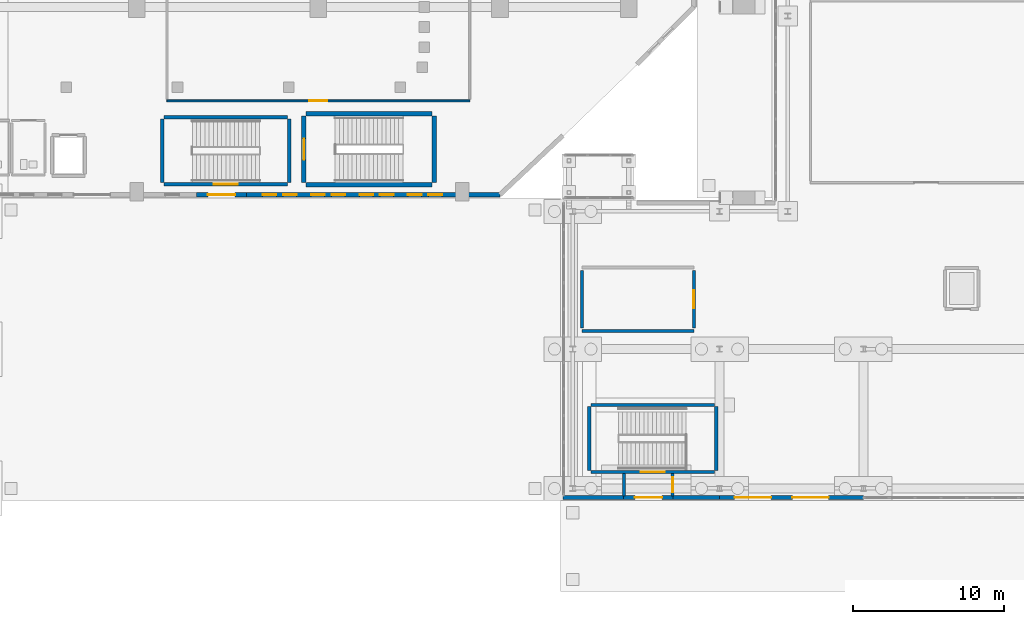
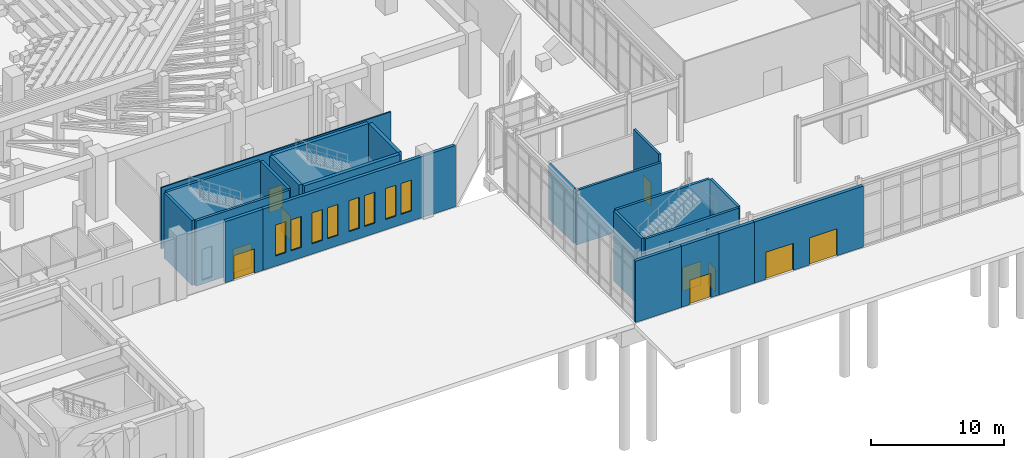
# One storey, part 108 of 143: 24 walls, 10 doors, 8 windows, 18 openings.
"""IFC4 building model written with IfcOpenShell, lengths in metres."""

from ifc_helpers import new_model, si_unit, derived_unit, direction, frame, frame_2d, origin, place, context, subcontext, project, spatial, rectangle, extrude, material, layer, layer_set, type_object, element, fill, save


model = new_model("IFC4")

# Units and contexts
model_context = context("Model", 3, precision=1e-05, world=origin(), true_north=direction((0.0, 1.0)))
body_context = subcontext(model_context, "Body", "Model", "MODEL_VIEW")
ifc_project = project(units=[si_unit("LENGTHUNIT", "METRE"), si_unit("AREAUNIT", "SQUARE_METRE"), si_unit("VOLUMEUNIT", "CUBIC_METRE"), si_unit("PLANEANGLEUNIT", "RADIAN"), si_unit("MASSUNIT", "GRAM", prefix="KILO"), derived_unit("THERMALTRANSMITTANCEUNIT", [(si_unit("MASSUNIT", "GRAM", prefix="KILO"), 1), (si_unit("TIMEUNIT", "SECOND"), -3), (si_unit("THERMODYNAMICTEMPERATUREUNIT", "KELVIN"), -1)])], contexts=[model_context])

# Site, building, storey
site_placement = place(None, origin())
site = spatial("IfcSite", under=ifc_project, at=site_placement, CompositionType="ELEMENT")
building_placement = place(site_placement, origin())
building = spatial("IfcBuilding", under=site, at=building_placement, Name="Valcora Ridge Arena", CompositionType="ELEMENT")
storey_placement = place(building_placement, origin())
storey = spatial("IfcBuildingStorey", under=building, at=storey_placement, Name="L00", CompositionType="ELEMENT", Elevation=0.0)

# Walls
ifc_material_1 = material(Name="Bush-hammered Andean travertine on concrete backup C40/50", Category="masonry")
ifc_layer_1 = layer(ifc_material_1, 0.280029296875, Name="Bush-hammered Andean travertine on concrete backup C40/50")
ifc_layer_set_1 = layer_set([ifc_layer_1], Name="Bush-hammered Andean travertine on concrete backup C40/50")
wall_type_1 = type_object("IfcWallType", Name="TY-WALL-EW-TRV-28-56", PredefinedType="STANDARD", material=ifc_layer_set_1)
wall_1_placement = place(storey_placement, frame((98.14990234375, 0.199951171875, 0.0), z_axis=(0.0, 0.0, 1.0), x_axis=(1.0, 0.0, 0.0)))
element("IfcWall", 1, at=wall_1_placement, inside=storey, type_object=wall_type_1, Name="EW-TRV-28-56 WAL-EW-0001", PredefinedType="STANDARD", context=body_context, shape_type="SweptSolid", body=[
    extrude(rectangle(XDim=4.030029296875, YDim=0.280029296875, at=frame_2d((2.01513671875, 0.0))), origin(), (0.0, 0.0, 1.0), 5.639892578125),
])
wall_2_placement = place(storey_placement, frame((105.419921875, 0.199951171875, 0.0), z_axis=(0.0, 0.0, 1.0), x_axis=(1.0, 0.0, 0.0)))
element("IfcWall", 2, at=wall_2_placement, inside=storey, type_object=wall_type_1, Name="EW-TRV-28-56 WAL-EW-0002", PredefinedType="STANDARD", context=body_context, shape_type="SweptSolid", body=[
    extrude(rectangle(XDim=3.080078125, YDim=0.280029296875, at=frame_2d((1.5400390625, 0.0))), origin(), (0.0, 0.0, 1.0), 5.639892578125),
])

# Wall, openings, doors
wall_3_placement = place(storey_placement, frame((108.5, 0.199951171875, 0.0), z_axis=(0.0, 0.0, 1.0), x_axis=(1.0, 0.0, 0.0)))
wall_3 = element("IfcWall", 3, at=wall_3_placement, inside=storey, type_object=wall_type_1, Name="EW-TRV-28-56 WAL-EW-0003", PredefinedType="STANDARD", context=body_context, shape_type="SweptSolid", body=[
    extrude(rectangle(XDim=9.5, YDim=0.280029296875, at=frame_2d((4.75, 0.0))), origin(), (0.0, 0.0, 1.0), 5.639892578125),
])
opening_1_placement = place(wall_3_placement, frame((1.0, 0.0, 0.0)))
opening_1 = element("IfcOpeningElement", 4, at=opening_1_placement, cuts=wall_3, Name="Opening E-MAIN-2400", PredefinedType="OPENING", context=body_context, shape_type="SweptSolid", body=[
    extrude(rectangle(XDim=2.39990234375, YDim=2.5, at=frame_2d((1.199951171875, 1.25))), frame((0.0, 0.14990234375, 0.0), z_axis=(0.0, -1.0, 0.0), x_axis=(1.0, 0.0, 0.0)), (0.0, 0.0, 1.0), 0.300048828125),
])
opening_2_placement = place(wall_3_placement, frame((4.800048828125, 0.0, 0.0)))
opening_2 = element("IfcOpeningElement", 5, at=opening_2_placement, cuts=wall_3, Name="Opening E-MAIN-2400", PredefinedType="OPENING", context=body_context, shape_type="SweptSolid", body=[
    extrude(rectangle(XDim=2.39990234375, YDim=2.5, at=frame_2d((1.199951171875, 1.25))), frame((0.0, 0.14990234375, 0.0), z_axis=(0.0, -1.0, 0.0), x_axis=(1.0, 0.0, 0.0)), (0.0, 0.0, 1.0), 0.300048828125),
])
ifc_material_2 = material(Name="Thermally broken bronze aluminium glazed entrance leaf", Category="aluminium")
door_type_1 = type_object("IfcDoorType", Name="TY-DOOR-E-MAIN-2400", OperationType="NOTDEFINED", PredefinedType="DOOR", material=ifc_material_2)
door_1_placement = place(opening_1_placement, origin())
door_1 = element("IfcDoor", 6, at=door_1_placement, inside=storey, type_object=door_type_1, Name="E-MAIN-2400 DOR-EX-0001", OperationType="DOUBLE_DOOR_SINGLE_SWING", OverallHeight=2.5, OverallWidth=2.39990234375, PredefinedType="DOOR", context=body_context, shape_type="SweptSolid", body=[
    extrude(rectangle(XDim=2.39990234375, YDim=2.5, at=frame_2d((1.199951171875, 1.25))), frame((0.0, 0.02490234375, 0.0), z_axis=(0.0, -1.0, 0.0), x_axis=(1.0, 0.0, 0.0)), (0.0, 0.0, 1.0), 0.050048828125),
])
fill(opening_1, door_1)
door_2_placement = place(opening_2_placement, origin())
door_2 = element("IfcDoor", 7, at=door_2_placement, inside=storey, type_object=door_type_1, Name="E-MAIN-2400 DOR-EX-0002", OperationType="DOUBLE_DOOR_SINGLE_SWING", OverallHeight=2.5, OverallWidth=2.39990234375, PredefinedType="DOOR", context=body_context, shape_type="SweptSolid", body=[
    extrude(rectangle(XDim=2.39990234375, YDim=2.5, at=frame_2d((1.199951171875, 1.25))), frame((0.0, 0.02490234375, 0.0), z_axis=(0.0, -1.0, 0.0), x_axis=(1.0, 0.0, 0.0)), (0.0, 0.0, 1.0), 0.050048828125),
])
fill(opening_2, door_2)

# Wall, openings, windows
wall_4_placement = place(storey_placement, frame((77.219970703125, 20.199951171875, 0.0), z_axis=(0.0, 0.0, 1.0), x_axis=(1.0, 0.0, 0.0)))
wall_4 = element("IfcWall", 8, at=wall_4_placement, inside=storey, type_object=wall_type_1, Name="EW-TRV-28-56 WAL-EW-0031", PredefinedType="STANDARD", context=body_context, shape_type="SweptSolid", body=[
    extrude(rectangle(XDim=16.780029296875, YDim=0.280029296875, at=frame_2d((8.39013671875, 0.0))), origin(), (0.0, 0.0, 1.0), 5.639892578125),
])
opening_3_placement = place(wall_4_placement, frame((1.10009765625, 0.0, 0.949951171875)))
opening_3 = element("IfcOpeningElement", 9, at=opening_3_placement, cuts=wall_4, Name="Opening W-GLAN-90X285", PredefinedType="OPENING", context=body_context, shape_type="SweptSolid", body=[
    extrude(rectangle(XDim=0.89990234375, YDim=2.85009765625, at=frame_2d((0.449951171875, 1.425048828125))), frame((0.0, 0.14990234375, 0.0), z_axis=(0.0, -1.0, 0.0), x_axis=(1.0, 0.0, 0.0)), (0.0, 0.0, 1.0), 0.300048828125),
])
opening_4_placement = place(wall_4_placement, frame((2.449951171875, 0.0, 0.949951171875)))
opening_4 = element("IfcOpeningElement", 10, at=opening_4_placement, cuts=wall_4, Name="Opening W-GLAN-90X285", PredefinedType="OPENING", context=body_context, shape_type="SweptSolid", body=[
    extrude(rectangle(XDim=0.89990234375, YDim=2.85009765625, at=frame_2d((0.449951171875, 1.425048828125))), frame((0.0, 0.14990234375, 0.0), z_axis=(0.0, -1.0, 0.0), x_axis=(1.0, 0.0, 0.0)), (0.0, 0.0, 1.0), 0.300048828125),
])
opening_5_placement = place(wall_4_placement, frame((4.300048828125, 0.0, 0.949951171875)))
opening_5 = element("IfcOpeningElement", 11, at=opening_5_placement, cuts=wall_4, Name="Opening W-GLAN-90X285", PredefinedType="OPENING", context=body_context, shape_type="SweptSolid", body=[
    extrude(rectangle(XDim=0.89990234375, YDim=2.85009765625, at=frame_2d((0.449951171875, 1.425048828125))), frame((0.0, 0.14990234375, 0.0), z_axis=(0.0, -1.0, 0.0), x_axis=(1.0, 0.0, 0.0)), (0.0, 0.0, 1.0), 0.300048828125),
])
opening_6_placement = place(wall_4_placement, frame((5.64990234375, 0.0, 0.949951171875)))
opening_6 = element("IfcOpeningElement", 12, at=opening_6_placement, cuts=wall_4, Name="Opening W-GLAN-90X285", PredefinedType="OPENING", context=body_context, shape_type="SweptSolid", body=[
    extrude(rectangle(XDim=0.89990234375, YDim=2.85009765625, at=frame_2d((0.449951171875, 1.425048828125))), frame((0.0, 0.14990234375, 0.0), z_axis=(0.0, -1.0, 0.0), x_axis=(1.0, 0.0, 0.0)), (0.0, 0.0, 1.0), 0.300048828125),
])
opening_7_placement = place(wall_4_placement, frame((7.5, 0.0, 0.949951171875)))
opening_7 = element("IfcOpeningElement", 13, at=opening_7_placement, cuts=wall_4, Name="Opening W-GLAN-90X285", PredefinedType="OPENING", context=body_context, shape_type="SweptSolid", body=[
    extrude(rectangle(XDim=0.89990234375, YDim=2.85009765625, at=frame_2d((0.449951171875, 1.425048828125))), frame((0.0, 0.14990234375, 0.0), z_axis=(0.0, -1.0, 0.0), x_axis=(1.0, 0.0, 0.0)), (0.0, 0.0, 1.0), 0.300048828125),
])
opening_8_placement = place(wall_4_placement, frame((8.85009765625, 0.0, 0.949951171875)))
opening_8 = element("IfcOpeningElement", 14, at=opening_8_placement, cuts=wall_4, Name="Opening W-GLAN-90X285", PredefinedType="OPENING", context=body_context, shape_type="SweptSolid", body=[
    extrude(rectangle(XDim=0.89990234375, YDim=2.85009765625, at=frame_2d((0.449951171875, 1.425048828125))), frame((0.0, 0.14990234375, 0.0), z_axis=(0.0, -1.0, 0.0), x_axis=(1.0, 0.0, 0.0)), (0.0, 0.0, 1.0), 0.300048828125),
])
opening_9_placement = place(wall_4_placement, frame((10.699951171875, 0.0, 0.949951171875)))
opening_9 = element("IfcOpeningElement", 15, at=opening_9_placement, cuts=wall_4, Name="Opening W-GLAN-90X285", PredefinedType="OPENING", context=body_context, shape_type="SweptSolid", body=[
    extrude(rectangle(XDim=0.89990234375, YDim=2.85009765625, at=frame_2d((0.449951171875, 1.425048828125))), frame((0.0, 0.14990234375, 0.0), z_axis=(0.0, -1.0, 0.0), x_axis=(1.0, 0.0, 0.0)), (0.0, 0.0, 1.0), 0.300048828125),
])
opening_10_placement = place(wall_4_placement, frame((12.050048828125, 0.0, 0.949951171875)))
opening_10 = element("IfcOpeningElement", 16, at=opening_10_placement, cuts=wall_4, Name="Opening W-GLAN-90X285", PredefinedType="OPENING", context=body_context, shape_type="SweptSolid", body=[
    extrude(rectangle(XDim=0.89990234375, YDim=2.85009765625, at=frame_2d((0.449951171875, 1.425048828125))), frame((0.0, 0.14990234375, 0.0), z_axis=(0.0, -1.0, 0.0), x_axis=(1.0, 0.0, 0.0)), (0.0, 0.0, 1.0), 0.300048828125),
])
ifc_material_3 = material(Name="Low-iron solar-control double glazing SHGC 0.28", Category="glass")
window_type = type_object("IfcWindowType", Name="TY-WINDOW-W-GLAN-90X285", PartitioningType="DOUBLE_PANEL_VERTICAL", PredefinedType="WINDOW", material=ifc_material_3)
window_1_placement = place(opening_3_placement, origin())
window_1 = element("IfcWindow", 17, at=window_1_placement, inside=storey, type_object=window_type, Name="W-GLAN-90X285 WIN-EX-0060", OverallHeight=2.85009765625, OverallWidth=0.89990234375, PartitioningType="DOUBLE_PANEL_VERTICAL", PredefinedType="WINDOW", context=body_context, shape_type="SweptSolid", body=[
    extrude(rectangle(XDim=0.89990234375, YDim=2.85009765625, at=frame_2d((0.449951171875, 1.425048828125))), frame((0.0, 0.030029296875, 0.0), z_axis=(0.0, -1.0, 0.0), x_axis=(1.0, 0.0, 0.0)), (0.0, 0.0, 1.0), 0.06005859375),
])
fill(opening_3, window_1)
window_2_placement = place(opening_4_placement, origin())
window_2 = element("IfcWindow", 18, at=window_2_placement, inside=storey, type_object=window_type, Name="W-GLAN-90X285 WIN-EX-0061", OverallHeight=2.85009765625, OverallWidth=0.89990234375, PartitioningType="DOUBLE_PANEL_VERTICAL", PredefinedType="WINDOW", context=body_context, shape_type="SweptSolid", body=[
    extrude(rectangle(XDim=0.89990234375, YDim=2.85009765625, at=frame_2d((0.449951171875, 1.425048828125))), frame((0.0, 0.030029296875, 0.0), z_axis=(0.0, -1.0, 0.0), x_axis=(1.0, 0.0, 0.0)), (0.0, 0.0, 1.0), 0.06005859375),
])
fill(opening_4, window_2)
window_3_placement = place(opening_5_placement, origin())
window_3 = element("IfcWindow", 19, at=window_3_placement, inside=storey, type_object=window_type, Name="W-GLAN-90X285 WIN-EX-0062", OverallHeight=2.85009765625, OverallWidth=0.89990234375, PartitioningType="DOUBLE_PANEL_VERTICAL", PredefinedType="WINDOW", context=body_context, shape_type="SweptSolid", body=[
    extrude(rectangle(XDim=0.89990234375, YDim=2.85009765625, at=frame_2d((0.449951171875, 1.425048828125))), frame((0.0, 0.030029296875, 0.0), z_axis=(0.0, -1.0, 0.0), x_axis=(1.0, 0.0, 0.0)), (0.0, 0.0, 1.0), 0.06005859375),
])
fill(opening_5, window_3)
window_4_placement = place(opening_6_placement, origin())
window_4 = element("IfcWindow", 20, at=window_4_placement, inside=storey, type_object=window_type, Name="W-GLAN-90X285 WIN-EX-0063", OverallHeight=2.85009765625, OverallWidth=0.89990234375, PartitioningType="DOUBLE_PANEL_VERTICAL", PredefinedType="WINDOW", context=body_context, shape_type="SweptSolid", body=[
    extrude(rectangle(XDim=0.89990234375, YDim=2.85009765625, at=frame_2d((0.449951171875, 1.425048828125))), frame((0.0, 0.030029296875, 0.0), z_axis=(0.0, -1.0, 0.0), x_axis=(1.0, 0.0, 0.0)), (0.0, 0.0, 1.0), 0.06005859375),
])
fill(opening_6, window_4)
window_5_placement = place(opening_7_placement, origin())
window_5 = element("IfcWindow", 21, at=window_5_placement, inside=storey, type_object=window_type, Name="W-GLAN-90X285 WIN-EX-0064", OverallHeight=2.85009765625, OverallWidth=0.89990234375, PartitioningType="DOUBLE_PANEL_VERTICAL", PredefinedType="WINDOW", context=body_context, shape_type="SweptSolid", body=[
    extrude(rectangle(XDim=0.89990234375, YDim=2.85009765625, at=frame_2d((0.449951171875, 1.425048828125))), frame((0.0, 0.030029296875, 0.0), z_axis=(0.0, -1.0, 0.0), x_axis=(1.0, 0.0, 0.0)), (0.0, 0.0, 1.0), 0.06005859375),
])
fill(opening_7, window_5)
window_6_placement = place(opening_8_placement, origin())
window_6 = element("IfcWindow", 22, at=window_6_placement, inside=storey, type_object=window_type, Name="W-GLAN-90X285 WIN-EX-0065", OverallHeight=2.85009765625, OverallWidth=0.89990234375, PartitioningType="DOUBLE_PANEL_VERTICAL", PredefinedType="WINDOW", context=body_context, shape_type="SweptSolid", body=[
    extrude(rectangle(XDim=0.89990234375, YDim=2.85009765625, at=frame_2d((0.449951171875, 1.425048828125))), frame((0.0, 0.030029296875, 0.0), z_axis=(0.0, -1.0, 0.0), x_axis=(1.0, 0.0, 0.0)), (0.0, 0.0, 1.0), 0.06005859375),
])
fill(opening_8, window_6)
window_7_placement = place(opening_9_placement, origin())
window_7 = element("IfcWindow", 23, at=window_7_placement, inside=storey, type_object=window_type, Name="W-GLAN-90X285 WIN-EX-0066", OverallHeight=2.85009765625, OverallWidth=0.89990234375, PartitioningType="DOUBLE_PANEL_VERTICAL", PredefinedType="WINDOW", context=body_context, shape_type="SweptSolid", body=[
    extrude(rectangle(XDim=0.89990234375, YDim=2.85009765625, at=frame_2d((0.449951171875, 1.425048828125))), frame((0.0, 0.030029296875, 0.0), z_axis=(0.0, -1.0, 0.0), x_axis=(1.0, 0.0, 0.0)), (0.0, 0.0, 1.0), 0.06005859375),
])
fill(opening_9, window_7)
window_8_placement = place(opening_10_placement, origin())
window_8 = element("IfcWindow", 24, at=window_8_placement, inside=storey, type_object=window_type, Name="W-GLAN-90X285 WIN-EX-0067", OverallHeight=2.85009765625, OverallWidth=0.89990234375, PartitioningType="DOUBLE_PANEL_VERTICAL", PredefinedType="WINDOW", context=body_context, shape_type="SweptSolid", body=[
    extrude(rectangle(XDim=0.89990234375, YDim=2.85009765625, at=frame_2d((0.449951171875, 1.425048828125))), frame((0.0, 0.030029296875, 0.0), z_axis=(0.0, -1.0, 0.0), x_axis=(1.0, 0.0, 0.0)), (0.0, 0.0, 1.0), 0.06005859375),
])
fill(opening_10, window_8)

# Wall, opening, door
ifc_layer_2 = layer(ifc_material_1, 0.280029296875, Name="Bush-hammered Andean travertine on concrete backup C40/50")
ifc_layer_set_2 = layer_set([ifc_layer_2], Name="Bush-hammered Andean travertine on concrete backup C40/50")
wall_type_2 = type_object("IfcWallType", Name="TY-WALL-EW-TRV-XP-56", PredefinedType="STANDARD", material=ifc_layer_set_2)
wall_5_placement = place(storey_placement, frame((105.449951171875, 0.199951171875, 0.0), z_axis=(0.0, 0.0, 1.0), x_axis=(-1.0, 0.0, 0.0)))
wall_5 = element("IfcWall", 25, at=wall_5_placement, inside=storey, type_object=wall_type_2, Name="EW-TRV-XP-56 WAL-XP-0019", PredefinedType="STANDARD", context=body_context, shape_type="SweptSolid", body=[
    extrude(rectangle(XDim=3.300048828125, YDim=0.280029296875, at=frame_2d((1.64990234375, 0.0))), origin(), (0.0, 0.0, 1.0), 5.639892578125),
])
opening_11_placement = place(wall_5_placement, frame((0.75, 0.0, 0.0)))
opening_11 = element("IfcOpeningElement", 26, at=opening_11_placement, cuts=wall_5, Name="Opening D-EXP-1800", PredefinedType="OPENING", context=body_context, shape_type="SweptSolid", body=[
    extrude(rectangle(XDim=1.800048828125, YDim=2.25, at=frame_2d((0.89990234375, 1.125))), frame((0.0, 0.14990234375, 0.0), z_axis=(0.0, -1.0, 0.0), x_axis=(1.0, 0.0, 0.0)), (0.0, 0.0, 1.0), 0.300048828125),
])
ifc_material_4 = material(Name="Insulated fire-rated steel door leaf", Category="steel")
door_type_2 = type_object("IfcDoorType", Name="TY-DOOR-D-EXP-1800", OperationType="NOTDEFINED", PredefinedType="DOOR", material=ifc_material_4)
door_3_placement = place(opening_11_placement, origin())
door_3 = element("IfcDoor", 27, at=door_3_placement, inside=storey, type_object=door_type_2, Name="Final Exit Discharge Door ES11", OperationType="DOUBLE_DOOR_SINGLE_SWING", OverallHeight=2.25, OverallWidth=1.800048828125, PredefinedType="DOOR", context=body_context, shape_type="SweptSolid", body=[
    extrude(rectangle(XDim=1.800048828125, YDim=2.25, at=frame_2d((0.89990234375, 1.125))), frame((0.0, 0.02490234375, 0.0), z_axis=(0.0, -1.0, 0.0), x_axis=(1.0, 0.0, 0.0)), (0.0, 0.0, 1.0), 0.050048828125),
])
fill(opening_11, door_3)

wall_6_placement = place(storey_placement, frame((77.25, 20.199951171875, 0.0), z_axis=(0.0, 0.0, 1.0), x_axis=(-1.0, 0.0, 0.0)))
wall_6 = element("IfcWall", 28, at=wall_6_placement, inside=storey, type_object=wall_type_2, Name="EW-TRV-XP-56 WAL-XP-0022", PredefinedType="STANDARD", context=body_context, shape_type="SweptSolid", body=[
    extrude(rectangle(XDim=3.300048828125, YDim=0.280029296875, at=frame_2d((1.64990234375, 0.0))), origin(), (0.0, 0.0, 1.0), 5.639892578125),
])
opening_12_placement = place(wall_6_placement, frame((0.75, 0.0, 0.0)))
opening_12 = element("IfcOpeningElement", 29, at=opening_12_placement, cuts=wall_6, Name="Opening D-EXP-1800", PredefinedType="OPENING", context=body_context, shape_type="SweptSolid", body=[
    extrude(rectangle(XDim=1.800048828125, YDim=2.25, at=frame_2d((0.89990234375, 1.125))), frame((0.0, 0.14990234375, 0.0), z_axis=(0.0, -1.0, 0.0), x_axis=(1.0, 0.0, 0.0)), (0.0, 0.0, 1.0), 0.300048828125),
])
door_4_placement = place(opening_12_placement, origin())
door_4 = element("IfcDoor", 30, at=door_4_placement, inside=storey, type_object=door_type_2, Name="Final Exit Discharge Door ES02", OperationType="DOUBLE_DOOR_SINGLE_SWING", OverallHeight=2.25, OverallWidth=1.800048828125, PredefinedType="DOOR", context=body_context, shape_type="SweptSolid", body=[
    extrude(rectangle(XDim=1.800048828125, YDim=2.25, at=frame_2d((0.89990234375, 1.125))), frame((0.0, 0.02490234375, 0.0), z_axis=(0.0, -1.0, 0.0), x_axis=(1.0, 0.0, 0.0)), (0.0, 0.0, 1.0), 0.050048828125),
])
fill(opening_12, door_4)

# Walls
ifc_material_5 = material(Name="Fire-resisting reinforced concrete enclosure C40/50 200 mm", Category="concrete")
ifc_layer_3 = layer(ifc_material_5, 0.199951171875, Name="Fire-resisting reinforced concrete enclosure C40/50 200 mm")
ifc_layer_set_3 = layer_set([ifc_layer_3], Name="Fire-resisting reinforced concrete enclosure C40/50 200 mm")
wall_type_3 = type_object("IfcWallType", Name="TY-WALL-IW-FIRE-200", PredefinedType="STANDARD", material=ifc_layer_set_3)
wall_7_placement = place(storey_placement, frame((99.39990234375, 11.199951171875, 0.0), z_axis=(0.0, 0.0, 1.0), x_axis=(1.0, 0.0, 0.0)))
element("IfcWall", 31, at=wall_7_placement, inside=storey, type_object=wall_type_3, Name="IW-FIRE-200 WAL-IN-0043", PredefinedType="STANDARD", context=body_context, shape_type="SweptSolid", body=[
    extrude(rectangle(XDim=7.400146484375, YDim=0.199951171875, at=frame_2d((3.7001953125, 0.0))), origin(), (0.0, 0.0, 1.0), 5.028076171875),
])
wall_8_placement = place(storey_placement, frame((99.39990234375, 11.39990234375, 0.0), z_axis=(0.0, 0.0, 1.0), x_axis=(0.0, 1.0, 0.0)))
element("IfcWall", 32, at=wall_8_placement, inside=storey, type_object=wall_type_3, Name="IW-FIRE-200 WAL-IN-0045", PredefinedType="STANDARD", context=body_context, shape_type="SweptSolid", body=[
    extrude(rectangle(XDim=3.800048828125, YDim=0.199951171875, at=frame_2d((1.89990234375, 0.0))), origin(), (0.0, 0.0, 1.0), 5.028076171875),
])

# Wall, opening, door
wall_9_placement = place(storey_placement, frame((106.800048828125, 11.39990234375, 0.0), z_axis=(0.0, 0.0, 1.0), x_axis=(0.0, 1.0, 0.0)))
wall_9 = element("IfcWall", 33, at=wall_9_placement, inside=storey, type_object=wall_type_3, Name="IW-FIRE-200 WAL-IN-0046", PredefinedType="STANDARD", context=body_context, shape_type="SweptSolid", body=[
    extrude(rectangle(XDim=3.800048828125, YDim=0.199951171875, at=frame_2d((1.89990234375, 0.0))), origin(), (0.0, 0.0, 1.0), 5.639892578125),
])
opening_13_placement = place(wall_9_placement, frame((1.300048828125, 0.0, 0.0)))
opening_13 = element("IfcOpeningElement", 34, at=opening_13_placement, cuts=wall_9, Name="Opening FD-FCC-1200", PredefinedType="OPENING", context=body_context, shape_type="SweptSolid", body=[
    extrude(rectangle(XDim=1.199951171875, YDim=2.199951171875, at=frame_2d((0.60009765625, 1.10009765625))), frame((0.0, 0.10986328125, 0.0), z_axis=(0.0, -1.0, 0.0), x_axis=(1.0, 0.0, 0.0)), (0.0, 0.0, 1.0), 0.219970703125),
])
door_type_3 = type_object("IfcDoorType", Name="TY-DOOR-FD-FCC-1200", OperationType="NOTDEFINED", PredefinedType="DOOR", material=ifc_material_4)
door_5_placement = place(opening_13_placement, origin())
door_5 = element("IfcDoor", 35, at=door_5_placement, inside=storey, type_object=door_type_3, Name="FD-FCC-1200 DOR-IN-0015", OperationType="SINGLE_SWING_LEFT", OverallHeight=2.199951171875, OverallWidth=1.199951171875, PredefinedType="DOOR", context=body_context, shape_type="SweptSolid", body=[
    extrude(rectangle(XDim=1.199951171875, YDim=2.199951171875, at=frame_2d((0.60009765625, 1.10009765625))), frame((0.0, 0.02490234375, 0.0), z_axis=(0.0, -1.0, 0.0), x_axis=(1.0, 0.0, 0.0)), (0.0, 0.0, 1.0), 0.050048828125),
])
fill(opening_13, door_5)

# Wall
wall_10_placement = place(storey_placement, frame((102.199951171875, 0.300048828125, 0.0), z_axis=(0.0, 0.0, 1.0), x_axis=(0.0, 1.0, 0.0)))
element("IfcWall", 36, at=wall_10_placement, inside=storey, type_object=wall_type_3, Name="IW-FIRE-200 WAL-XP-0020", PredefinedType="STANDARD", context=body_context, shape_type="SweptSolid", body=[
    extrude(rectangle(XDim=1.489990234375, YDim=0.199951171875, at=frame_2d((0.7451171875, 0.0))), origin(), (0.0, 0.0, 1.0), 5.028076171875),
])

# Wall, opening, door
wall_11_placement = place(storey_placement, frame((105.39990234375, 0.300048828125, 0.0), z_axis=(0.0, 0.0, 1.0), x_axis=(0.0, 1.0, 0.0)))
wall_11 = element("IfcWall", 37, at=wall_11_placement, inside=storey, type_object=wall_type_3, Name="IW-FIRE-200 WAL-XP-0021", PredefinedType="STANDARD", context=body_context, shape_type="SweptSolid", body=[
    extrude(rectangle(XDim=1.489990234375, YDim=0.199951171875, at=frame_2d((0.7451171875, 0.0))), origin(), (0.0, 0.0, 1.0), 5.028076171875),
])
opening_14_placement = place(wall_11_placement, frame((0.2451171875, 0.0, 0.0)))
opening_14 = element("IfcOpeningElement", 38, at=opening_14_placement, cuts=wall_11, Name="Opening FD-STE-1000", PredefinedType="OPENING", context=body_context, shape_type="SweptSolid", body=[
    extrude(rectangle(XDim=1.0, YDim=2.14990234375, at=frame_2d((0.5, 1.074951171875))), frame((0.0, 0.10986328125, 0.0), z_axis=(0.0, -1.0, 0.0), x_axis=(1.0, 0.0, 0.0)), (0.0, 0.0, 1.0), 0.219970703125),
])
door_type_4 = type_object("IfcDoorType", Name="TY-DOOR-FD-STE-1000", OperationType="NOTDEFINED", PredefinedType="DOOR", material=ifc_material_4)
door_6_placement = place(opening_14_placement, origin())
door_6 = element("IfcDoor", 39, at=door_6_placement, inside=storey, type_object=door_type_4, Name="FD-STE-1000 DOR-XP-0013", OperationType="SINGLE_SWING_RIGHT", OverallHeight=2.14990234375, OverallWidth=1.0, PredefinedType="DOOR", context=body_context, shape_type="SweptSolid", body=[
    extrude(rectangle(XDim=1.0, YDim=2.14990234375, at=frame_2d((0.5, 1.074951171875))), frame((0.0, 0.02490234375, 0.0), z_axis=(0.0, -1.0, 0.0), x_axis=(1.0, 0.0, 0.0)), (0.0, 0.0, 1.0), 0.050048828125),
])
fill(opening_14, door_6)

ifc_material_6 = material(Name="Acoustic metal-stud gypsum partition 120 mm")
ifc_layer_4 = layer(ifc_material_6, 0.1201171875, Name="Acoustic metal-stud gypsum partition 120 mm")
ifc_layer_set_4 = layer_set([ifc_layer_4], Name="Acoustic metal-stud gypsum partition 120 mm")
wall_type_4 = type_object("IfcWallType", Name="TY-WALL-IW-PART-120", PredefinedType="PARTITIONING", material=ifc_layer_set_4)
wall_12_placement = place(storey_placement, frame((72.0, 26.39990234375, 0.0), z_axis=(0.0, 0.0, 1.0), x_axis=(1.0, 0.0, 0.0)))
wall_12 = element("IfcWall", 40, at=wall_12_placement, inside=storey, type_object=wall_type_4, Name="IW-PART-120 WAL-IN-0227", PredefinedType="PARTITIONING", context=body_context, shape_type="SweptSolid", body=[
    extrude(rectangle(XDim=20.0, YDim=0.1201171875, at=frame_2d((10.0, 0.0))), origin(), (0.0, 0.0, 1.0), 5.639892578125),
])
opening_15_placement = place(wall_12_placement, frame((9.39990234375, 0.0, 0.0)))
opening_15 = element("IfcOpeningElement", 41, at=opening_15_placement, cuts=wall_12, Name="Opening D-ATH-1200", PredefinedType="OPENING", context=body_context, shape_type="SweptSolid", body=[
    extrude(rectangle(XDim=1.199951171875, YDim=2.199951171875, at=frame_2d((0.60009765625, 1.10009765625))), frame((0.0, 0.070068359375, 0.0), z_axis=(0.0, -1.0, 0.0), x_axis=(1.0, 0.0, 0.0)), (0.0, 0.0, 1.0), 0.14013671875),
])
ifc_material_7 = material(Name="Solid-core acoustic timber veneer door leaf", Category="wood")
door_type_5 = type_object("IfcDoorType", Name="TY-DOOR-D-ATH-1200", OperationType="NOTDEFINED", PredefinedType="DOOR", material=ifc_material_7)
door_7_placement = place(opening_15_placement, origin())
door_7 = element("IfcDoor", 42, at=door_7_placement, inside=storey, type_object=door_type_5, Name="D-ATH-1200 DOR-IN-0061", OperationType="SINGLE_SWING_RIGHT", OverallHeight=2.199951171875, OverallWidth=1.199951171875, PredefinedType="DOOR", context=body_context, shape_type="SweptSolid", body=[
    extrude(rectangle(XDim=1.199951171875, YDim=2.199951171875, at=frame_2d((0.60009765625, 1.10009765625))), frame((0.0, 0.02490234375, 0.0), z_axis=(0.0, -1.0, 0.0), x_axis=(1.0, 0.0, 0.0)), (0.0, 0.0, 1.0), 0.050048828125),
])
fill(opening_15, door_7)

# Walls
ifc_material_8 = material(Name="Concrete C45/55", Category="concrete")
ifc_layer_5 = layer(ifc_material_8, 0.300048828125, Name="Concrete C45/55")
ifc_layer_set_5 = layer_set([ifc_layer_5], Name="Concrete C45/55")
wall_type_5 = type_object("IfcWallType", Name="TY-WALL-SW-C300-L", PredefinedType="SHEAR", material=ifc_layer_set_5)
for number, where, z_axis, x_axis, name in (
    (43, (81.199951171875, 20.85009765625, 0.0), (0.0, 0.0, 1.0), (1.0, 0.0, 0.0), "SW-C300-L WAL-CR-0033"),
    (44, (81.199951171875, 25.550048828125, 0.0), (0.0, 0.0, 1.0), (1.0, 0.0, 0.0), "SW-C300-L WAL-CR-0034"),
):
    element("IfcWall", number, at=place(storey_placement, frame(where, z_axis=z_axis, x_axis=x_axis)), inside=storey, type_object=wall_type_5, Name=name, PredefinedType="SHEAR", context=body_context, shape_type="SweptSolid", body=[
        extrude(rectangle(XDim=8.320068359375, YDim=0.300048828125, at=frame_2d((4.16015625, 0.0))), origin(), (0.0, 0.0, 1.0), 6.0),
    ])

# Wall, opening, door
ifc_layer_6 = layer(ifc_material_8, 0.300048828125, Name="Concrete C45/55")
ifc_layer_set_6 = layer_set([ifc_layer_6], Name="Concrete C45/55")
wall_type_6 = type_object("IfcWallType", Name="TY-WALL-SW-C300-S", PredefinedType="SHEAR", material=ifc_layer_set_6)
wall_13_placement = place(storey_placement, frame((81.050048828125, 21.0, 0.0), z_axis=(0.0, 0.0, 1.0), x_axis=(0.0, 1.0, 0.0)))
wall_13 = element("IfcWall", 45, at=wall_13_placement, inside=storey, type_object=wall_type_6, Name="SW-C300-S WAL-CR-0035", PredefinedType="SHEAR", context=body_context, shape_type="SweptSolid", body=[
    extrude(rectangle(XDim=4.39990234375, YDim=0.300048828125, at=frame_2d((2.199951171875, 0.0))), origin(), (0.0, 0.0, 1.0), 6.0),
])
opening_16_placement = place(wall_13_placement, frame((1.5, 0.0, 0.0)))
opening_16 = element("IfcOpeningElement", 46, at=opening_16_placement, cuts=wall_13, Name="Opening FD-01", PredefinedType="OPENING", context=body_context, shape_type="SweptSolid", body=[
    extrude(rectangle(XDim=1.39990234375, YDim=2.199951171875, at=frame_2d((0.699951171875, 1.10009765625))), frame((0.0, 0.159912109375, 0.0), z_axis=(0.0, -1.0, 0.0), x_axis=(1.0, 0.0, 0.0)), (0.0, 0.0, 1.0), 0.320068359375),
])
door_type_6 = type_object("IfcDoorType", Name="TY-DOOR-FD-01", OperationType="NOTDEFINED", PredefinedType="DOOR", material=ifc_material_4)
door_8_placement = place(opening_16_placement, origin())
door_8 = element("IfcDoor", 47, at=door_8_placement, inside=storey, type_object=door_type_6, Name="FD-01 DOR-ST-0009", OperationType="DOUBLE_DOOR_SINGLE_SWING", OverallHeight=2.199951171875, OverallWidth=1.39990234375, PredefinedType="DOOR", context=body_context, shape_type="SweptSolid", body=[
    extrude(rectangle(XDim=1.39990234375, YDim=2.199951171875, at=frame_2d((0.699951171875, 1.10009765625))), frame((0.0, 0.02490234375, 0.0), z_axis=(0.0, -1.0, 0.0), x_axis=(1.0, 0.0, 0.0)), (0.0, 0.0, 1.0), 0.050048828125),
])
fill(opening_16, door_8)

# Wall
wall_14_placement = place(storey_placement, frame((89.669921875, 21.0, 0.0), z_axis=(0.0, 0.0, 1.0), x_axis=(0.0, 1.0, 0.0)))
element("IfcWall", 48, at=wall_14_placement, inside=storey, type_object=wall_type_6, Name="SW-C300-S WAL-CR-0036", PredefinedType="SHEAR", context=body_context, shape_type="SweptSolid", body=[
    extrude(rectangle(XDim=4.39990234375, YDim=0.300048828125, at=frame_2d((2.199951171875, 0.0))), origin(), (0.0, 0.0, 1.0), 6.0),
])

# Wall, opening, door
ifc_layer_7 = layer(ifc_material_5, 0.219970703125, Name="Fire-resisting reinforced concrete enclosure C40/50 200 mm")
ifc_layer_set_7 = layer_set([ifc_layer_7], Name="Fire-resisting reinforced concrete enclosure C40/50 200 mm")
wall_type_7 = type_object("IfcWallType", Name="TY-WALL-SW-ES-220", PredefinedType="SHEAR", material=ifc_layer_set_7)
wall_15_placement = place(storey_placement, frame((71.800048828125, 20.889892578125, 0.0), z_axis=(0.0, 0.0, 1.0), x_axis=(1.0, 0.0, 0.0)))
wall_15 = element("IfcWall", 49, at=wall_15_placement, inside=storey, type_object=wall_type_7, Name="SW-ES-220 WAL-ES-0029", PredefinedType="SHEAR", context=body_context, shape_type="SweptSolid", body=[
    extrude(rectangle(XDim=8.159912109375, YDim=0.219970703125, at=frame_2d((4.080078125, 0.0))), origin(), (0.0, 0.0, 1.0), 6.0),
])
opening_17_placement = place(wall_15_placement, frame((3.280029296875, 0.0, 0.0)))
opening_17 = element("IfcOpeningElement", 50, at=opening_17_placement, cuts=wall_15, Name="Opening FD-02", PredefinedType="OPENING", context=body_context, shape_type="SweptSolid", body=[
    extrude(rectangle(XDim=1.60009765625, YDim=2.199951171875, at=frame_2d((0.800048828125, 1.10009765625))), frame((0.0, 0.119873046875, 0.0), z_axis=(0.0, -1.0, 0.0), x_axis=(1.0, 0.0, 0.0)), (0.0, 0.0, 1.0), 0.239990234375),
])
door_type_7 = type_object("IfcDoorType", Name="TY-DOOR-FD-02", OperationType="NOTDEFINED", PredefinedType="DOOR", material=ifc_material_4)
door_9_placement = place(opening_17_placement, origin())
door_9 = element("IfcDoor", 51, at=door_9_placement, inside=storey, type_object=door_type_7, Name="FD-02 DOR-ES-0006", OperationType="DOUBLE_DOOR_SINGLE_SWING", OverallHeight=2.199951171875, OverallWidth=1.60009765625, PredefinedType="DOOR", context=body_context, shape_type="SweptSolid", body=[
    extrude(rectangle(XDim=1.60009765625, YDim=2.199951171875, at=frame_2d((0.800048828125, 1.10009765625))), frame((0.0, 0.02490234375, 0.0), z_axis=(0.0, -1.0, 0.0), x_axis=(1.0, 0.0, 0.0)), (0.0, 0.0, 1.0), 0.050048828125),
])
fill(opening_17, door_9)

# Walls
wall_16_placement = place(storey_placement, frame((71.800048828125, 25.31005859375, 0.0), z_axis=(0.0, 0.0, 1.0), x_axis=(1.0, 0.0, 0.0)))
element("IfcWall", 52, at=wall_16_placement, inside=storey, type_object=wall_type_7, Name="SW-ES-220 WAL-ES-0030", PredefinedType="SHEAR", context=body_context, shape_type="SweptSolid", body=[
    extrude(rectangle(XDim=8.159912109375, YDim=0.219970703125, at=frame_2d((4.080078125, 0.0))), origin(), (0.0, 0.0, 1.0), 6.0),
])
for number, where, z_axis, x_axis, name in (
    (53, (71.68994140625, 21.0, 0.0), (0.0, 0.0, 1.0), (0.0, 1.0, 0.0), "SW-ES-220 WAL-ES-0031"),
    (54, (80.070068359375, 21.0, 0.0), (0.0, 0.0, 1.0), (0.0, 1.0, 0.0), "SW-ES-220 WAL-ES-0032"),
):
    element("IfcWall", number, at=place(storey_placement, frame(where, z_axis=z_axis, x_axis=x_axis)), inside=storey, type_object=wall_type_7, Name=name, PredefinedType="SHEAR", context=body_context, shape_type="SweptSolid", body=[
        extrude(rectangle(XDim=4.199951171875, YDim=0.219970703125, at=frame_2d((2.10009765625, 0.0))), origin(), (0.0, 0.0, 1.0), 6.0),
    ])

# Wall, opening, door
wall_17_placement = place(storey_placement, frame((100.0, 1.889892578125, -0.449951171875), z_axis=(0.0, 0.0, 1.0), x_axis=(1.0, 0.0, 0.0)))
wall_17 = element("IfcWall", 55, at=wall_17_placement, inside=storey, type_object=wall_type_7, Name="SW-ES-220 WAL-ES-0205", PredefinedType="SHEAR", context=body_context, shape_type="SweptSolid", body=[
    extrude(rectangle(XDim=8.159912109375, YDim=0.219970703125, at=frame_2d((4.080078125, 0.0))), origin(), (0.0, 0.0, 1.0), 6.449951171875),
])
opening_18_placement = place(wall_17_placement, frame((3.280029296875, 0.0, 0.449951171875)))
opening_18 = element("IfcOpeningElement", 56, at=opening_18_placement, cuts=wall_17, Name="Opening FD-02", PredefinedType="OPENING", context=body_context, shape_type="SweptSolid", body=[
    extrude(rectangle(XDim=1.60009765625, YDim=2.199951171875, at=frame_2d((0.800048828125, 1.10009765625))), frame((0.0, 0.119873046875, 0.0), z_axis=(0.0, -1.0, 0.0), x_axis=(1.0, 0.0, 0.0)), (0.0, 0.0, 1.0), 0.239990234375),
])
door_10_placement = place(opening_18_placement, origin())
door_10 = element("IfcDoor", 57, at=door_10_placement, inside=storey, type_object=door_type_7, Name="FD-02 DOR-ES-0046", OperationType="DOUBLE_DOOR_SINGLE_SWING", OverallHeight=2.199951171875, OverallWidth=1.60009765625, PredefinedType="DOOR", context=body_context, shape_type="SweptSolid", body=[
    extrude(rectangle(XDim=1.60009765625, YDim=2.199951171875, at=frame_2d((0.800048828125, 1.10009765625))), frame((0.0, 0.02490234375, 0.0), z_axis=(0.0, -1.0, 0.0), x_axis=(1.0, 0.0, 0.0)), (0.0, 0.0, 1.0), 0.050048828125),
])
fill(opening_18, door_10)

# Walls
wall_18_placement = place(storey_placement, frame((100.0, 6.31005859375, -0.449951171875), z_axis=(0.0, 0.0, 1.0), x_axis=(1.0, 0.0, 0.0)))
element("IfcWall", 58, at=wall_18_placement, inside=storey, type_object=wall_type_7, Name="SW-ES-220 WAL-ES-0206", PredefinedType="SHEAR", context=body_context, shape_type="SweptSolid", body=[
    extrude(rectangle(XDim=8.159912109375, YDim=0.219970703125, at=frame_2d((4.080078125, 0.0))), origin(), (0.0, 0.0, 1.0), 6.449951171875),
])
for number, where, z_axis, x_axis, name in (
    (59, (99.889892578125, 2.0, -0.449951171875), (0.0, 0.0, 1.0), (0.0, 1.0, 0.0), "SW-ES-220 WAL-ES-0207"),
    (60, (108.27001953125, 2.0, -0.449951171875), (0.0, 0.0, 1.0), (0.0, 1.0, 0.0), "SW-ES-220 WAL-ES-0208"),
):
    element("IfcWall", number, at=place(storey_placement, frame(where, z_axis=z_axis, x_axis=x_axis)), inside=storey, type_object=wall_type_7, Name=name, PredefinedType="SHEAR", context=body_context, shape_type="SweptSolid", body=[
        extrude(rectangle(XDim=4.199951171875, YDim=0.219970703125, at=frame_2d((2.10009765625, 0.0))), origin(), (0.0, 0.0, 1.0), 6.449951171875),
    ])

save(model, "model.ifc")
